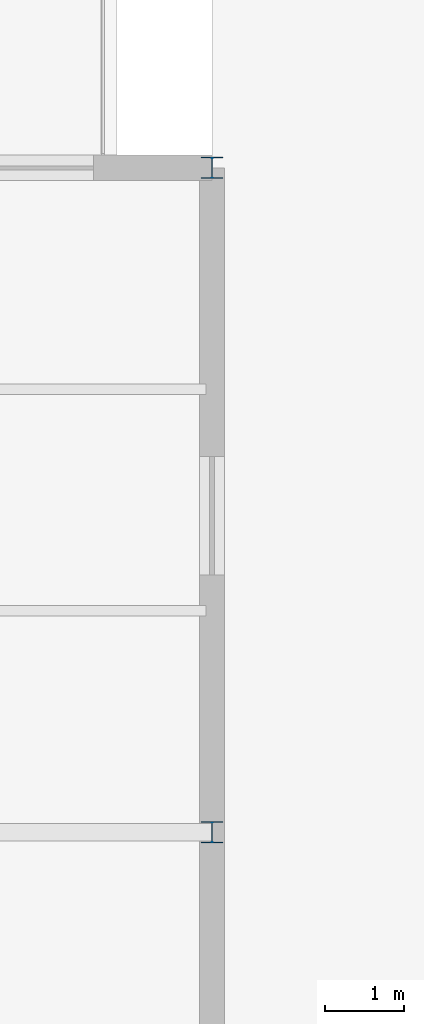
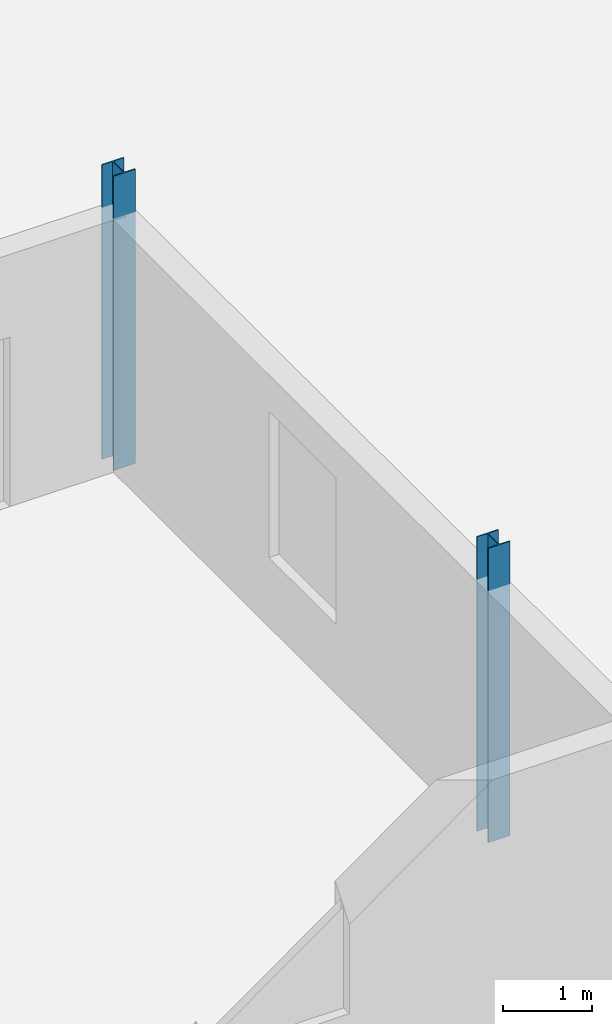
# One storey, part 10 of 69: 2 columns.
"""IFC4 building model written with IfcOpenShell, lengths in metres."""

import ifcopenshell
import ifcopenshell.guid

model = None  # the IFC model being written
_history = None  # IfcOwnerHistory: only IFC2X3 demands one
_inside = {}  # id of a spatial element -> (the spatial element, [elements in it])
_under = {}  # id of a project, library or spatial element -> (it, [spatial elements below it])
_declared = {}  # id of a project -> (the project, [libraries it declares])
_typed = {}  # id of a type object -> (the type object, [elements of that type])
_made_of = {}  # id of a material, layer set ... -> (it, [elements and type objects made of it])


def new_model(schema):
    """Start an empty IFC model of exactly this schema.

    Asked for "IFC4X3", IfcOpenShell would pick the latest addendum, in which some entities
    have other attributes; the version numbers below select the first issue.
    IFC2X3 requires an IfcOwnerHistory on every rooted entity: one is made here for all.
    """
    global model, _history
    if schema == "IFC4X3":
        model = ifcopenshell.file(schema_version=(4, 3, 0, 0))
    else:
        model = ifcopenshell.file(schema=schema)
    _inside.clear()
    _under.clear()
    _declared.clear()
    _typed.clear()
    _made_of.clear()
    _history = None
    if model.schema == "IFC2X3":
        org = make("IfcOrganization", Name="unknown")
        user = make(
            "IfcPersonAndOrganization",
            ThePerson=make("IfcPerson", FamilyName="unknown"),
            TheOrganization=org,
        )
        app = make(
            "IfcApplication",
            ApplicationDeveloper=org,
            Version="unknown",
            ApplicationFullName="unknown",
            ApplicationIdentifier="unknown",
        )
        _history = make(
            "IfcOwnerHistory",
            OwningUser=user,
            OwningApplication=app,
            ChangeAction="ADDED",
            CreationDate=0,
        )
    return model


def make(cls, **values):
    """One entity of the class cls with the attributes given. An attribute that is None is left unset."""
    return model.create_entity(
        cls, **{name: value for name, value in values.items() if value is not None}
    )


def rooted(cls, **values):
    """An entity with a GlobalId (a new one), such as an element, a storey or a relation."""
    return make(cls, GlobalId=ifcopenshell.guid.new(), OwnerHistory=_history, **values)


def si_unit(unit_type, name, prefix=None):
    """IfcSIUnit, for example si_unit("LENGTHUNIT", "METRE", prefix="MILLI")."""
    return make("IfcSIUnit", UnitType=unit_type, Prefix=prefix, Name=name)


def assignment(units):
    """IfcUnitAssignment: the units of a project."""
    return None if units is None else make("IfcUnitAssignment", Units=units)


def point(xyz):
    """IfcCartesianPoint."""
    return None if xyz is None else make("IfcCartesianPoint", Coordinates=xyz)


def direction(xyz):
    """IfcDirection."""
    return None if xyz is None else make("IfcDirection", DirectionRatios=xyz)


def frame(location, z_axis=None, x_axis=None):
    """IfcAxis2Placement3D, a coordinate frame: its origin and axes. An axis left out is left unset."""
    return make(
        "IfcAxis2Placement3D",
        Location=point(location),
        Axis=direction(z_axis),
        RefDirection=direction(x_axis),
    )


def frame_2d(location, x_axis=None):
    """IfcAxis2Placement2D, a coordinate frame in the plane: its origin and x axis."""
    return make(
        "IfcAxis2Placement2D", Location=point(location), RefDirection=direction(x_axis)
    )


def origin():
    """The frame at (0, 0, 0) with its axes left unset."""
    return frame((0.0, 0.0, 0.0))


def origin_2d():
    """The frame at (0, 0) in the plane with its x axis left unset."""
    return frame_2d((0.0, 0.0))


def place(relative_to, where):
    """IfcLocalPlacement: puts the frame where relative to a parent placement (None: the world)."""
    return make(
        "IfcLocalPlacement", PlacementRelTo=relative_to, RelativePlacement=where
    )


def context(
    kind, dimensions, precision=None, world=None, true_north=None, identifier=None
):
    """IfcGeometricRepresentationContext, for example the 3D "Model" context."""
    return make(
        "IfcGeometricRepresentationContext",
        ContextIdentifier=identifier,
        ContextType=kind,
        CoordinateSpaceDimension=dimensions,
        Precision=precision,
        WorldCoordinateSystem=world,
        TrueNorth=true_north,
    )


def subcontext(parent, identifier, kind, view, scale=None):
    """IfcGeometricRepresentationSubContext, for example "Body" below "Model"."""
    return make(
        "IfcGeometricRepresentationSubContext",
        ContextIdentifier=identifier,
        ContextType=kind,
        ParentContext=parent,
        TargetScale=scale,
        TargetView=view,
    )


def project(units=None, contexts=None):
    """IfcProject with its units and contexts."""
    return rooted(
        "IfcProject",
        Name="project",
        RepresentationContexts=contexts,
        UnitsInContext=assignment(units),
    )


def spatial(cls, under=None, at=None, **own):
    """A site, building, storey or space (cls), placed at a placement, below another one or the project."""
    s = rooted(cls, ObjectPlacement=at, **own)
    if under is not None:
        _under.setdefault(under.id(), (under, []))[1].append(s)
    return s


def profile(cls, at=None, kind="AREA", **sizes):
    """A parametric profile (cls). Its sizes go by their IFC names, for example OverallWidth=200.0."""
    return make(cls, ProfileType=kind, Position=at, **sizes)


def i_section(**sizes):
    """IfcIShapeProfileDef."""
    return profile("IfcIShapeProfileDef", **sizes)


def extrude(swept, where, along, depth):
    """IfcExtrudedAreaSolid: the profile swept, set in the frame where, extruded along a direction by depth."""
    return make(
        "IfcExtrudedAreaSolid",
        SweptArea=swept,
        Position=where,
        ExtrudedDirection=direction(along),
        Depth=depth,
    )


def shape(context_of_items, identifier, shape_type, items):
    """IfcShapeRepresentation: the items that make up one representation, for example the "Body"."""
    return make(
        "IfcShapeRepresentation",
        ContextOfItems=context_of_items,
        RepresentationIdentifier=identifier,
        RepresentationType=shape_type,
        Items=items,
    )


def material(Name=None, Category=None):
    """IfcMaterial."""
    return make("IfcMaterial", Name=Name, Category=Category)


def material_profile(
    of_material, cross_section, Name=None, Category=None, Priority=None
):
    """IfcMaterialProfile: a cross section and its material."""
    return make(
        "IfcMaterialProfile",
        Name=Name,
        Material=of_material,
        Profile=cross_section,
        Priority=Priority,
        Category=Category,
    )


def profile_set(profiles, Name=None, composite=None):
    """IfcMaterialProfileSet."""
    return make(
        "IfcMaterialProfileSet",
        Name=Name,
        MaterialProfiles=profiles,
        CompositeProfile=composite,
    )


def made_of(thing, what):
    """Note that an element or type object is made of a material, layer set ...; save() writes the relation."""
    if what is not None:
        _made_of.setdefault(what.id(), (what, []))[1].append(thing)
    return thing


def type_object(cls, material=None, **own):
    """A type object (cls), such as IfcWallType, which elements share."""
    return made_of(rooted(cls, **own), material)


def element(
    cls,
    number,
    at=None,
    inside=None,
    cuts=None,
    type_object=None,
    material=None,
    context=None,
    identifier="Body",
    shape_type=None,
    held_by="IfcProductDefinitionShape",
    body=None,
    shapes=None,
    **own,
):
    """One element of the class cls, such as IfcWall. Its Tag is "e" and its number.

    at: its placement. inside: the storey or other place that contains it. cuts: it is an
    opening in that element (IfcRelVoidsElement). A single representation is given by context,
    identifier, shape_type and body (its items); several are given by shapes. held_by: the class
    of the entity that holds the representations. save() writes the other relations.
    """
    e = rooted(cls, Tag="e%d" % number, ObjectPlacement=at, **own)
    if body is not None:
        shapes = [shape(context, identifier, shape_type, body)]
    if shapes is not None:
        e.Representation = make(held_by, Representations=shapes)
    if inside is not None:
        _inside.setdefault(inside.id(), (inside, []))[1].append(e)
    if cuts is not None:
        rooted(
            "IfcRelVoidsElement", RelatingBuildingElement=cuts, RelatedOpeningElement=e
        )
    if type_object is not None:
        _typed.setdefault(type_object.id(), (type_object, []))[1].append(e)
    return made_of(e, material)


def aggregate(whole, parts):
    """IfcRelAggregates: a whole, such as a stair, and the parts it consists of."""
    return rooted("IfcRelAggregates", RelatingObject=whole, RelatedObjects=parts)


def save(model, path):
    """Write the relations noted so far, then the file.

    IfcRelAggregates (storeys below a building ...), IfcRelContainedInSpatialStructure (elements
    in a storey), IfcRelDefinesByType, IfcRelAssociatesMaterial and IfcRelDeclares: one each for
    every whole, place, type object, material and project.
    """
    for whole, parts in _under.values():
        aggregate(whole, parts)
    for where, things in _inside.values():
        rooted(
            "IfcRelContainedInSpatialStructure",
            RelatedElements=things,
            RelatingStructure=where,
        )
    for kind, things in _typed.values():
        rooted("IfcRelDefinesByType", RelatedObjects=things, RelatingType=kind)
    for what, things in _made_of.values():
        rooted("IfcRelAssociatesMaterial", RelatedObjects=things, RelatingMaterial=what)
    for by, libraries in _declared.values():
        rooted("IfcRelDeclares", RelatingContext=by, RelatedDefinitions=libraries)
    model.write(path)


model = new_model("IFC4")

# Units and contexts
model_context = context("Model", 3, precision=1e-05, world=origin(), true_north=direction((0.0, 1.0)))
body_context = subcontext(model_context, "Body", "Model", "MODEL_VIEW")
ifc_project = project(units=[si_unit("LENGTHUNIT", "METRE"), si_unit("AREAUNIT", "SQUARE_METRE"), si_unit("VOLUMEUNIT", "CUBIC_METRE"), si_unit("PLANEANGLEUNIT", "RADIAN"), si_unit("MASSUNIT", "GRAM", prefix="KILO")], contexts=[model_context])

# Site, building, storey
site_placement = place(None, origin())
site = spatial("IfcSite", under=ifc_project, at=site_placement, CompositionType="ELEMENT")
building_placement = place(site_placement, origin())
building = spatial("IfcBuilding", under=site, at=building_placement, Name="Qalvenar Corner Mobility Hub", CompositionType="ELEMENT")
storey_placement = place(building_placement, frame((0.0, 0.0, 13.199951171875)))
storey = spatial("IfcBuildingStorey", under=building, at=storey_placement, Name="L03", CompositionType="ELEMENT", Elevation=13.199951171875)

# Columns
ifc_material = material(Name="Steel S355", Category="steel")
ifc_material_profile = material_profile(ifc_material, i_section(OverallWidth=0.280029296875, OverallDepth=0.27001953125, WebThickness=0.008056640625, FlangeThickness=0.012939453125, FilletRadius=0.02392578125, at=origin_2d()), Name="HEA280")
ifc_profile_set = profile_set([ifc_material_profile], Name="Steel S355")
column_type = type_object("IfcColumnType", Name="COL-HEA280", PredefinedType="COLUMN", material=ifc_profile_set)
for number, where, z_axis, x_axis, name in (
    (1, (142.800048828125, 16.800048828125, 0.0), (0.0, 0.0, 1.0), (1.0, 0.0, 0.0), "Steel Column L03-G18-2"),
    (2, (142.800048828125, 25.199951171875, 0.0), (0.0, 0.0, 1.0), (1.0, 0.0, 0.0), "Steel Column L03-G18-3"),
):
    element("IfcColumn", number, at=place(storey_placement, frame(where, z_axis=z_axis, x_axis=x_axis)), inside=storey, type_object=column_type, Name=name, PredefinedType="COLUMN", context=body_context, shape_type="SweptSolid", body=[
        extrude(i_section(OverallWidth=0.280029296875, OverallDepth=0.27001953125, WebThickness=0.008056640625, FlangeThickness=0.012939453125, FilletRadius=0.02392578125, at=origin_2d()), origin(), (0.0, 0.0, 1.0), 4.030029296875),
    ])

save(model, "model.ifc")
